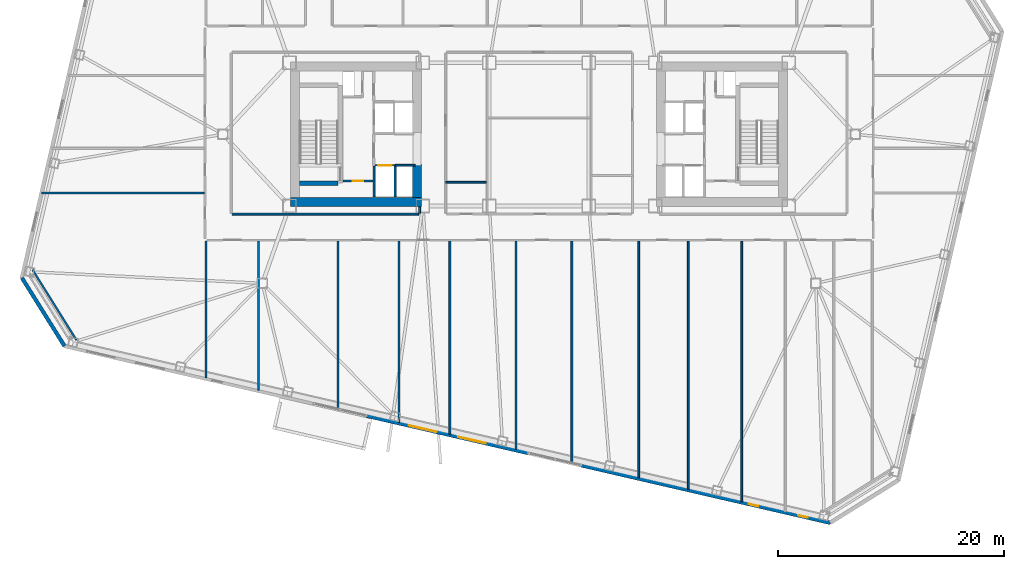
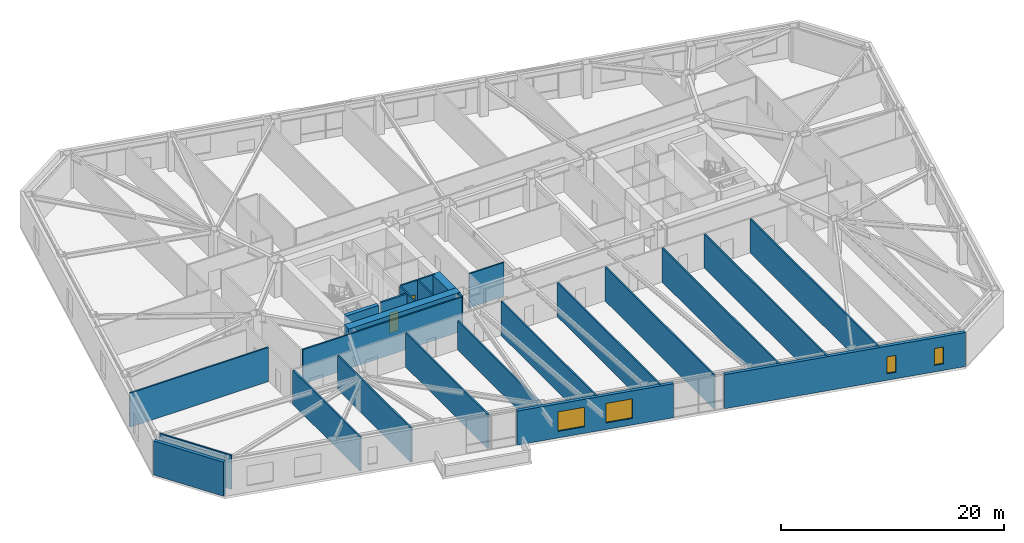
# One storey, part 12 of 22: 26 walls, 4 windows, 2 doors, 6 openings.
"""IFC4 building model written with IfcOpenShell, lengths in metres."""

from ifc_helpers import new_model, si_unit, direction, frame, frame_2d, origin, place, context, subcontext, project, spatial, rectangle, extrude, material, layer, layer_set, type_object, element, fill, save


model = new_model("IFC4")

# Units and contexts
model_context = context("Model", 3, precision=1e-05, world=origin(), true_north=direction((0.0, 1.0)))
body_context = subcontext(model_context, "Body", "Model", "MODEL_VIEW")
ifc_project = project(units=[si_unit("LENGTHUNIT", "METRE"), si_unit("AREAUNIT", "SQUARE_METRE"), si_unit("VOLUMEUNIT", "CUBIC_METRE"), si_unit("PLANEANGLEUNIT", "RADIAN"), si_unit("MASSUNIT", "GRAM", prefix="KILO")], contexts=[model_context])

# Site, building, storey
site_placement = place(None, origin())
site = spatial("IfcSite", under=ifc_project, at=site_placement, CompositionType="ELEMENT")
building_placement = place(site_placement, origin())
building = spatial("IfcBuilding", under=site, at=building_placement, Name="Tavrogorsk Clinical Tower", CompositionType="ELEMENT")
storey_placement = place(building_placement, frame((0.0, 0.0, 55.39990234375)))
storey = spatial("IfcBuildingStorey", under=building, at=storey_placement, Name="L11", CompositionType="ELEMENT", Elevation=55.39990234375)

# Wall, opening, door
ifc_material_1 = material(Name="Concrete B60", Category="concrete")
ifc_layer_1 = layer(ifc_material_1, 0.199951171875)
ifc_layer_set_1 = layer_set([ifc_layer_1], Name="Concrete B60")
wall_type_1 = type_object("IfcWallType", Name="CoreFireWall_200", PredefinedType="SOLIDWALL", material=ifc_layer_set_1)
wall_1_placement = place(storey_placement, frame((-17.3798828125, -4.139892578125, 0.0), z_axis=(0.0, 0.0, 1.0), x_axis=(1.0, 0.0, 0.0)))
wall_1 = element("IfcWall", 1, at=wall_1_placement, inside=storey, type_object=wall_type_1, Name="L11 Core West South Core Room Fire Wall", PredefinedType="SOLIDWALL", context=body_context, shape_type="SweptSolid", body=[
    extrude(rectangle(XDim=2.659912109375, YDim=0.199951171875, at=frame_2d((1.330078125, 0.0))), origin(), (0.0, 0.0, 1.0), 3.739990234375),
])
opening_1_placement = place(wall_1_placement, frame((0.8798828125, 0.0, 0.0)))
opening_1 = element("IfcOpeningElement", 2, at=opening_1_placement, cuts=wall_1, Name="Opening ID-02", PredefinedType="OPENING", context=body_context, shape_type="SweptSolid", body=[
    extrude(rectangle(XDim=0.949951171875, YDim=2.199951171875, at=frame_2d((0.47509765625, 1.10009765625))), frame((0.0, 0.10986328125, 0.0), z_axis=(0.0, -1.0, 0.0), x_axis=(1.0, 0.0, 0.0)), (0.0, 0.0, 1.0), 0.219970703125),
])
ifc_material_2 = material(Name="Laminated timber leaf on aluminium frame", Category="wood")
door_type_1 = type_object("IfcDoorType", Name="InteriorDoor_ID02_950", OperationType="NOTDEFINED", PredefinedType="DOOR", material=ifc_material_2)
door_1_placement = place(opening_1_placement, origin())
door_1 = element("IfcDoor", 3, at=door_1_placement, inside=storey, type_object=door_type_1, Name="L11 Core West South Core Room Door", OperationType="SINGLE_SWING_RIGHT", OverallHeight=2.199951171875, OverallWidth=0.949951171875, PredefinedType="DOOR", context=body_context, shape_type="SweptSolid", body=[
    extrude(rectangle(XDim=0.949951171875, YDim=2.199951171875, at=frame_2d((0.47509765625, 1.10009765625))), frame((0.0, 0.02490234375, 0.0), z_axis=(0.0, -1.0, 0.0), x_axis=(1.0, 0.0, 0.0)), (0.0, 0.0, 1.0), 0.050048828125),
])
fill(opening_1, door_1)

# Walls
ifc_material_3 = material(Name="Lightweight concrete blockwork B15", Category="masonry")
ifc_layer_2 = layer(ifc_material_3, 0.139892578125)
ifc_layer_set_2 = layer_set([ifc_layer_2], Name="Lightweight concrete blockwork B15")
wall_type_2 = type_object("IfcWallType", Name="PartitionWall_140", PredefinedType="PARTITIONING", material=ifc_layer_set_2)
wall_2_placement = place(storey_placement, frame((-8.264892578125, -4.25, 0.0), z_axis=(0.0, 0.0, 1.0), x_axis=(1.0, 0.0, 0.0)))
element("IfcWall", 4, at=wall_2_placement, inside=storey, type_object=wall_type_2, Name="L11 Central Spine Partition 4", PredefinedType="PARTITIONING", context=body_context, shape_type="SweptSolid", body=[
    extrude(rectangle(XDim=3.58984375, YDim=0.139892578125, at=frame_2d((1.794921875, 0.0))), origin(), (0.0, 0.0, 1.0), 3.739990234375),
])
ifc_material_4 = material(Name="Lightweight concrete blockwork B15", Category="masonry")
ifc_layer_3 = layer(ifc_material_4, 0.159912109375)
ifc_layer_set_3 = layer_set([ifc_layer_3], Name="Lightweight concrete blockwork B15")
wall_type_3 = type_object("IfcWallType", Name="PartitionWall_160", PredefinedType="PARTITIONING", material=ifc_layer_set_3)
wall_3_placement = place(storey_placement, frame((-44.85986328125, -11.9892578125, 0.0), z_axis=(0.0, 0.0, 1.0), x_axis=(0.52991239767, -0.848052386823, 0.0)))
element("IfcWall", 5, at=wall_3_placement, inside=storey, type_object=wall_type_3, Name="L11 Corner Exoskeleton Brace Furring Wall 4", PredefinedType="PARTITIONING", context=body_context, shape_type="SweptSolid", body=[
    extrude(rectangle(XDim=7.35400390625, YDim=0.159912109375, at=frame_2d((3.677001953125, 0.0))), origin(), (0.0, 0.0, 1.0), 3.739990234375),
])
wall_4_placement = place(storey_placement, frame((-10.580078125, -6.985107421875, 0.0), z_axis=(0.0, 0.0, 1.0), x_axis=(0.0, 1.0, 0.0)))
element("IfcWall", 6, at=wall_4_placement, inside=storey, type_object=wall_type_3, Name="L11 Corridor Partition 18", PredefinedType="PARTITIONING", context=body_context, shape_type="SweptSolid", body=[
    extrude(rectangle(XDim=0.565185546875, YDim=0.159912109375, at=frame_2d((0.28271484375, 0.0))), origin(), (0.0, 0.0, 1.0), 3.739990234375),
])
wall_5_placement = place(storey_placement, frame((-27.18505859375, -7.070068359375, 0.0), z_axis=(0.0, 0.0, 1.0), x_axis=(1.0, 0.0, 0.0)))
element("IfcWall", 7, at=wall_5_placement, inside=storey, type_object=wall_type_3, Name="L11 Corridor Partition 22", PredefinedType="PARTITIONING", context=body_context, shape_type="SweptSolid", body=[
    extrude(rectangle(XDim=16.52001953125, YDim=0.159912109375, at=frame_2d((8.260009765625, 0.0))), origin(), (0.0, 0.0, 1.0), 3.739990234375),
])
wall_6_placement = place(storey_placement, frame((-29.5, -21.570556640625, 0.0), z_axis=(0.0, 0.0, 1.0), x_axis=(0.0, 1.0, 0.0)))
element("IfcWall", 8, at=wall_6_placement, inside=storey, type_object=wall_type_3, Name="L11 SW Wing Closure Partition", PredefinedType="PARTITIONING", context=body_context, shape_type="SweptSolid", body=[
    extrude(rectangle(XDim=12.10546875, YDim=0.159912109375, at=frame_2d((6.052734375, 0.0))), origin(), (0.0, 0.0, 1.0), 3.739990234375),
])
wall_7_placement = place(storey_placement, frame((-24.85009765625, -22.64404296875, 0.0), z_axis=(0.0, 0.0, 1.0), x_axis=(0.0, 1.0, 0.0)))
element("IfcWall", 9, at=wall_7_placement, inside=storey, type_object=wall_type_3, Name="L11 South Room Partition 1", PredefinedType="PARTITIONING", context=body_context, shape_type="SweptSolid", body=[
    extrude(rectangle(XDim=13.178955078125, YDim=0.159912109375, at=frame_2d((6.58935546875, 0.0))), origin(), (0.0, 0.0, 1.0), 3.739990234375),
])
wall_8_placement = place(storey_placement, frame((-17.800048828125, -24.271728515625, 0.0), z_axis=(0.0, 0.0, 1.0), x_axis=(0.0, 1.0, 0.0)))
element("IfcWall", 10, at=wall_8_placement, inside=storey, type_object=wall_type_3, Name="L11 South Room Partition 2", PredefinedType="PARTITIONING", context=body_context, shape_type="SweptSolid", body=[
    extrude(rectangle(XDim=14.806640625, YDim=0.159912109375, at=frame_2d((7.4033203125, 0.0))), origin(), (0.0, 0.0, 1.0), 3.739990234375),
])
wall_9_placement = place(storey_placement, frame((-7.89990234375, -26.557373046875, 0.0), z_axis=(0.0, 0.0, 1.0), x_axis=(0.0, 1.0, 0.0)))
element("IfcWall", 11, at=wall_9_placement, inside=storey, type_object=wall_type_3, Name="L11 South Room Partition 3", PredefinedType="PARTITIONING", context=body_context, shape_type="SweptSolid", body=[
    extrude(rectangle(XDim=17.09228515625, YDim=0.159912109375, at=frame_2d((8.546142578125, 0.0))), origin(), (0.0, 0.0, 1.0), 3.739990234375),
])
wall_10_placement = place(storey_placement, frame((2.89990234375, -29.05078125, 0.0), z_axis=(0.0, 0.0, 1.0), x_axis=(0.0, 1.0, 0.0)))
element("IfcWall", 12, at=wall_10_placement, inside=storey, type_object=wall_type_3, Name="L11 South Room Partition 4", PredefinedType="PARTITIONING", context=body_context, shape_type="SweptSolid", body=[
    extrude(rectangle(XDim=19.585693359375, YDim=0.159912109375, at=frame_2d((9.79296875, 0.0))), origin(), (0.0, 0.0, 1.0), 3.739990234375),
])
wall_11_placement = place(storey_placement, frame((13.199951171875, -31.4287109375, 0.0), z_axis=(0.0, 0.0, 1.0), x_axis=(0.0, 1.0, 0.0)))
element("IfcWall", 13, at=wall_11_placement, inside=storey, type_object=wall_type_3, Name="L11 South Room Partition 5", PredefinedType="PARTITIONING", context=body_context, shape_type="SweptSolid", body=[
    extrude(rectangle(XDim=21.963623046875, YDim=0.159912109375, at=frame_2d((10.98193359375, 0.0))), origin(), (0.0, 0.0, 1.0), 3.739990234375),
])
wall_12_placement = place(storey_placement, frame((-12.39990234375, -25.518310546875, 0.0), z_axis=(0.0, 0.0, 1.0), x_axis=(0.0, 1.0, 0.0)))
element("IfcWall", 14, at=wall_12_placement, inside=storey, type_object=wall_type_3, Name="L11 South Sub-Partition 3", PredefinedType="PARTITIONING", context=body_context, shape_type="SweptSolid", body=[
    extrude(rectangle(XDim=16.05322265625, YDim=0.159912109375, at=frame_2d((8.026611328125, 0.0))), origin(), (0.0, 0.0, 1.0), 3.1650390625),
])
wall_13_placement = place(storey_placement, frame((-2.050048828125, -27.907958984375, 0.0), z_axis=(0.0, 0.0, 1.0), x_axis=(0.0, 1.0, 0.0)))
element("IfcWall", 15, at=wall_13_placement, inside=storey, type_object=wall_type_3, Name="L11 South Sub-Partition 4", PredefinedType="PARTITIONING", context=body_context, shape_type="SweptSolid", body=[
    extrude(rectangle(XDim=18.44287109375, YDim=0.159912109375, at=frame_2d((9.221435546875, 0.0))), origin(), (0.0, 0.0, 1.0), 3.739990234375),
])
wall_14_placement = place(storey_placement, frame((8.820068359375, -30.41748046875, 0.0), z_axis=(0.0, 0.0, 1.0), x_axis=(0.0, 1.0, 0.0)))
element("IfcWall", 16, at=wall_14_placement, inside=storey, type_object=wall_type_3, Name="L11 South Sub-Partition 5", PredefinedType="PARTITIONING", context=body_context, shape_type="SweptSolid", body=[
    extrude(rectangle(XDim=20.952392578125, YDim=0.159912109375, at=frame_2d((10.47607421875, 0.0))), origin(), (0.0, 0.0, 1.0), 3.739990234375),
])
wall_15_placement = place(storey_placement, frame((17.949951171875, -32.525146484375, 0.0), z_axis=(0.0, 0.0, 1.0), x_axis=(0.0, 1.0, 0.0)))
element("IfcWall", 17, at=wall_15_placement, inside=storey, type_object=wall_type_3, Name="L11 South Sub-Partition 6", PredefinedType="PARTITIONING", context=body_context, shape_type="SweptSolid", body=[
    extrude(rectangle(XDim=23.06005859375, YDim=0.159912109375, at=frame_2d((11.530029296875, 0.0))), origin(), (0.0, 0.0, 1.0), 3.739990234375),
])
wall_16_placement = place(storey_placement, frame((-44.0419921875, -5.199951171875, 0.0), z_axis=(0.0, 0.0, 1.0), x_axis=(1.0, 0.0, 0.0)))
element("IfcWall", 18, at=wall_16_placement, inside=storey, type_object=wall_type_3, Name="L11 W Wing Divider 1", PredefinedType="PARTITIONING", context=body_context, shape_type="SweptSolid", body=[
    extrude(rectangle(XDim=14.376953125, YDim=0.159912109375, at=frame_2d((7.1884765625, 0.0))), origin(), (0.0, 0.0, 1.0), 3.739990234375),
])

# Wall, openings, windows
ifc_material_5 = material(Name="Precast concrete B45 with limestone cladding", Category="masonry")
ifc_layer_4 = layer(ifc_material_5, 0.340087890625)
ifc_layer_set_4 = layer_set([ifc_layer_4], Name="Precast concrete B45 with limestone cladding")
wall_type_4 = type_object("IfcWallType", Name="PrecastLimestoneWall_340", PredefinedType="STANDARD", material=ifc_layer_set_4)
wall_17_placement = place(storey_placement, frame((-15.28076171875, -24.925048828125, 0.0), z_axis=(0.0, 0.0, 1.0), x_axis=(0.974370193991, -0.22495049469, 0.0)))
wall_17 = element("IfcWall", 19, at=wall_17_placement, inside=storey, type_object=wall_type_4, Name="L11 S Limestone Facade Wall 2", PredefinedType="STANDARD", context=body_context, shape_type="SweptSolid", body=[
    extrude(rectangle(XDim=14.697265625, YDim=0.340087890625, at=frame_2d((7.3486328125, 0.0))), origin(), (0.0, 0.0, 1.0), 3.739990234375),
])
opening_2_placement = place(wall_17_placement, frame((3.8564453125, 0.0, 0.719970703125)))
opening_2 = element("IfcOpeningElement", 20, at=opening_2_placement, cuts=wall_17, Name="Opening WN-11", PredefinedType="OPENING", context=body_context, shape_type="SweptSolid", body=[
    extrude(rectangle(XDim=2.5, YDim=2.14990234375, at=frame_2d((1.25, 1.074951171875))), frame((0.0, 0.179931640625, 0.0), z_axis=(0.0, -1.0, 0.0), x_axis=(1.0, 0.0, 0.0)), (0.0, 0.0, 1.0), 0.360107421875),
])
opening_3_placement = place(wall_17_placement, frame((8.3408203125, 0.0, 0.719970703125)))
opening_3 = element("IfcOpeningElement", 21, at=opening_3_placement, cuts=wall_17, Name="Opening WN-11", PredefinedType="OPENING", context=body_context, shape_type="SweptSolid", body=[
    extrude(rectangle(XDim=2.5, YDim=2.14990234375, at=frame_2d((1.25, 1.074951171875))), frame((0.0, 0.179931640625, 0.0), z_axis=(0.0, -1.0, 0.0), x_axis=(1.0, 0.0, 0.0)), (0.0, 0.0, 1.0), 0.360107421875),
])
ifc_material_6 = material(Name="Thermally broken aluminium frame and triple IGU", Category="aluminium")
window_type_1 = type_object("IfcWindowType", Name="StepDownWin_2500x2150", PartitioningType="TRIPLE_PANEL_HORIZONTAL", PredefinedType="WINDOW", material=ifc_material_6)
window_1_placement = place(opening_2_placement, origin())
window_1 = element("IfcWindow", 22, at=window_1_placement, inside=storey, type_object=window_type_1, Name="L11 S Chicago Window 05", OverallHeight=2.14990234375, OverallWidth=2.5, PartitioningType="SINGLE_PANEL", PredefinedType="WINDOW", context=body_context, shape_type="SweptSolid", body=[
    extrude(rectangle(XDim=2.5, YDim=2.14990234375, at=frame_2d((1.25, 1.074951171875))), frame((0.0, 0.030029296875, 0.0), z_axis=(0.0, -1.0, 0.0), x_axis=(1.0, 0.0, 0.0)), (0.0, 0.0, 1.0), 0.06005859375),
])
fill(opening_2, window_1)
window_2_placement = place(opening_3_placement, origin())
window_2 = element("IfcWindow", 23, at=window_2_placement, inside=storey, type_object=window_type_1, Name="L11 S Chicago Window 06", OverallHeight=2.14990234375, OverallWidth=2.5, PartitioningType="SINGLE_PANEL", PredefinedType="WINDOW", context=body_context, shape_type="SweptSolid", body=[
    extrude(rectangle(XDim=2.5, YDim=2.14990234375, at=frame_2d((1.25, 1.074951171875))), frame((0.0, 0.030029296875, 0.0), z_axis=(0.0, -1.0, 0.0), x_axis=(1.0, 0.0, 0.0)), (0.0, 0.0, 1.0), 0.06005859375),
])
fill(opening_3, window_2)

wall_18_placement = place(storey_placement, frame((3.716796875, -29.31103515625, 0.0), z_axis=(0.0, 0.0, 1.0), x_axis=(0.97436993772, -0.224951604723, 0.0)))
wall_18 = element("IfcWall", 24, at=wall_18_placement, inside=storey, type_object=wall_type_4, Name="L11 S Limestone Facade Wall 3", PredefinedType="STANDARD", context=body_context, shape_type="SweptSolid", body=[
    extrude(rectangle(XDim=22.6513671875, YDim=0.340087890625, at=frame_2d((11.32568359375, 0.0))), origin(), (0.0, 0.0, 1.0), 3.739990234375),
])
opening_4_placement = place(wall_18_placement, frame((15.2548828125, 0.0, 0.719970703125)))
opening_4 = element("IfcOpeningElement", 25, at=opening_4_placement, cuts=wall_18, Name="Opening WN-06", PredefinedType="OPENING", context=body_context, shape_type="SweptSolid", body=[
    extrude(rectangle(XDim=0.85009765625, YDim=1.85009765625, at=frame_2d((0.425048828125, 0.925048828125))), frame((0.0, 0.179931640625, 0.0), z_axis=(0.0, -1.0, 0.0), x_axis=(1.0, 0.0, 0.0)), (0.0, 0.0, 1.0), 0.360107421875),
])
opening_5_placement = place(wall_18_placement, frame((19.7392578125, 0.0, 0.719970703125)))
opening_5 = element("IfcOpeningElement", 26, at=opening_5_placement, cuts=wall_18, Name="Opening WN-06", PredefinedType="OPENING", context=body_context, shape_type="SweptSolid", body=[
    extrude(rectangle(XDim=0.85009765625, YDim=1.85009765625, at=frame_2d((0.425048828125, 0.925048828125))), frame((0.0, 0.179931640625, 0.0), z_axis=(0.0, -1.0, 0.0), x_axis=(1.0, 0.0, 0.0)), (0.0, 0.0, 1.0), 0.360107421875),
])
ifc_material_7 = material(Name="Thermally broken aluminium frame and triple IGU", Category="aluminium")
window_type_2 = type_object("IfcWindowType", Name="MullionSubWin_850x1850", PartitioningType="SINGLE_PANEL", PredefinedType="WINDOW", material=ifc_material_7)
window_3_placement = place(opening_4_placement, origin())
window_3 = element("IfcWindow", 27, at=window_3_placement, inside=storey, type_object=window_type_2, Name="L11 S Mullion Split Window 09B", OverallHeight=1.85009765625, OverallWidth=0.85009765625, PartitioningType="SINGLE_PANEL", PredefinedType="WINDOW", context=body_context, shape_type="SweptSolid", body=[
    extrude(rectangle(XDim=0.85009765625, YDim=1.85009765625, at=frame_2d((0.425048828125, 0.925048828125))), frame((0.0, 0.030029296875, 0.0), z_axis=(0.0, -1.0, 0.0), x_axis=(1.0, 0.0, 0.0)), (0.0, 0.0, 1.0), 0.06005859375),
])
fill(opening_4, window_3)
window_4_placement = place(opening_5_placement, origin())
window_4 = element("IfcWindow", 28, at=window_4_placement, inside=storey, type_object=window_type_2, Name="L11 S Mullion Split Window 10B", OverallHeight=1.85009765625, OverallWidth=0.85009765625, PartitioningType="SINGLE_PANEL", PredefinedType="WINDOW", context=body_context, shape_type="SweptSolid", body=[
    extrude(rectangle(XDim=0.85009765625, YDim=1.85009765625, at=frame_2d((0.425048828125, 0.925048828125))), frame((0.0, 0.030029296875, 0.0), z_axis=(0.0, -1.0, 0.0), x_axis=(1.0, 0.0, 0.0)), (0.0, 0.0, 1.0), 0.06005859375),
])
fill(opening_5, window_4)

# Wall
wall_19_placement = place(storey_placement, frame((-45.798095703125, -12.71728515625, 0.0), z_axis=(0.0, 0.0, 1.0), x_axis=(0.529906387556, -0.848056142261, 0.0)))
element("IfcWall", 29, at=wall_19_placement, inside=storey, type_object=wall_type_4, Name="L11 Chamfered Corner Wall 4", PredefinedType="STANDARD", context=body_context, shape_type="SweptSolid", body=[
    extrude(rectangle(XDim=7.113525390625, YDim=0.340087890625, at=frame_2d((3.556640625, 0.0))), origin(), (0.0, 0.0, 1.0), 3.739990234375),
])

# Wall, opening, door
ifc_material_8 = material(Name="Lightweight concrete blockwork B25", Category="masonry")
ifc_layer_5 = layer(ifc_material_8, 0.159912109375)
ifc_layer_set_5 = layer_set([ifc_layer_5], Name="Lightweight concrete blockwork B25")
wall_type_5 = type_object("IfcWallType", Name="ShaftWall_160", PredefinedType="PARTITIONING", material=ifc_layer_set_5)
wall_20_placement = place(storey_placement, frame((-14.530029296875, -2.75, 0.0), z_axis=(0.0, 0.0, 1.0), x_axis=(1.0, 0.0, 0.0)))
wall_20 = element("IfcWall", 30, at=wall_20_placement, inside=storey, type_object=wall_type_5, Name="L11 LP-L1 Lift Shaft Portal Wall", PredefinedType="PARTITIONING", context=body_context, shape_type="SweptSolid", body=[
    extrude(rectangle(XDim=1.760009765625, YDim=0.159912109375, at=frame_2d((0.8798828125, 0.0))), origin(), (0.0, 0.0, 1.0), 3.739990234375),
])
opening_6_placement = place(wall_20_placement, frame((0.280029296875, 0.0, 0.0)))
opening_6 = element("IfcOpeningElement", 31, at=opening_6_placement, cuts=wall_20, Name="Opening LD", PredefinedType="OPENING", context=body_context, shape_type="SweptSolid", body=[
    extrude(rectangle(XDim=1.199951171875, YDim=2.199951171875, at=frame_2d((0.60009765625, 1.10009765625))), frame((0.0, 0.08984375, 0.0), z_axis=(0.0, -1.0, 0.0), x_axis=(1.0, 0.0, 0.0)), (0.0, 0.0, 1.0), 0.179931640625),
])
ifc_material_9 = material(Name="Brushed stainless steel AISI 304 sliding doors", Category="steel")
door_type_2 = type_object("IfcDoorType", Name="LiftLandingDoor_LD_1200", OperationType="SLIDING_TO_LEFT", PredefinedType="DOOR", material=ifc_material_9)
door_2_placement = place(opening_6_placement, origin())
door_2 = element("IfcDoor", 32, at=door_2_placement, inside=storey, type_object=door_type_2, Name="L11 LP-L1 Sliding Lift Landing Door", OperationType="SLIDING_TO_LEFT", OverallHeight=2.199951171875, OverallWidth=1.199951171875, PredefinedType="DOOR", context=body_context, shape_type="SweptSolid", body=[
    extrude(rectangle(XDim=1.199951171875, YDim=2.199951171875, at=frame_2d((0.60009765625, 1.10009765625))), frame((0.0, 0.02490234375, 0.0), z_axis=(0.0, -1.0, 0.0), x_axis=(1.0, 0.0, 0.0)), (0.0, 0.0, 1.0), 0.050048828125),
])
fill(opening_6, door_2)

# Walls
for number, where, z_axis, x_axis, name in (
    (33, (-12.75, -5.5400390625, 0.0), (0.0, 0.0, 1.0), (0.0, 1.0, 0.0), "L11 LP-L1 Lift Hoistway Divider Wall"),
    (34, (-14.610107421875, -5.5400390625, 0.0), (0.0, 0.0, 1.0), (0.0, 1.0, 0.0), "L11 LP-L1 Lift Hoistway Outer Cheek Wall"),
):
    element("IfcWall", number, at=place(storey_placement, frame(where, z_axis=z_axis, x_axis=x_axis)), inside=storey, type_object=wall_type_5, Name=name, PredefinedType="PARTITIONING", context=body_context, shape_type="SweptSolid", body=[
        extrude(rectangle(XDim=2.699951171875, YDim=0.159912109375, at=frame_2d((1.35009765625, 0.0))), origin(), (0.0, 0.0, 1.0), 3.739990234375),
    ])
wall_21_placement = place(storey_placement, frame((-12.72998046875, -2.75, 0.0), z_axis=(0.0, 0.0, 1.0), x_axis=(1.0, 0.0, 0.0)))
element("IfcWall", 35, at=wall_21_placement, inside=storey, type_object=wall_type_5, Name="L11 LP-M1 Lift Shaft Portal Wall", PredefinedType="PARTITIONING", context=body_context, shape_type="SweptSolid", body=[
    extrude(rectangle(XDim=1.760009765625, YDim=0.159912109375, at=frame_2d((0.8798828125, 0.0))), origin(), (0.0, 0.0, 1.0), 3.739990234375),
])
ifc_material_10 = material(Name="Concrete B80", Category="concrete")
ifc_layer_6 = layer(ifc_material_10, 0.39990234375)
ifc_layer_set_6 = layer_set([ifc_layer_6], Name="Concrete B80")
wall_type_6 = type_object("IfcWallType", Name="ShearWall_400", PredefinedType="SHEAR", material=ifc_layer_set_6)
wall_22_placement = place(storey_placement, frame((-21.199951171875, -4.324951171875, 0.0), z_axis=(0.0, 0.0, 1.0), x_axis=(1.0, 0.0, 0.0)))
element("IfcWall", 36, at=wall_22_placement, inside=storey, type_object=wall_type_6, Name="L11 Core West Stair Shaft South Shear Wall", PredefinedType="SHEAR", context=body_context, shape_type="SweptSolid", body=[
    extrude(rectangle(XDim=3.39990234375, YDim=0.39990234375, at=frame_2d((1.699951171875, 0.0))), origin(), (0.0, 0.0, 1.0), 3.739990234375),
])
ifc_material_11 = material(Name="Concrete B80", Category="concrete")
ifc_layer_7 = layer(ifc_material_11, 0.800048828125)
ifc_layer_set_7 = layer_set([ifc_layer_7], Name="Concrete B80")
wall_type_7 = type_object("IfcWallType", Name="ShearWall_800", PredefinedType="SHEAR", material=ifc_layer_set_7)
wall_23_placement = place(storey_placement, frame((-22.0, -6.0, 0.0), z_axis=(0.0, 0.0, 1.0), x_axis=(1.0, 0.0, 0.0)))
element("IfcWall", 37, at=wall_23_placement, inside=storey, type_object=wall_type_7, Name="L11 Core West South Shear Wall", PredefinedType="SHEAR", context=body_context, shape_type="SweptSolid", body=[
    extrude(rectangle(XDim=11.60009765625, YDim=0.800048828125, at=frame_2d((5.800048828125, 0.0))), origin(), (0.0, 0.0, 1.0), 3.739990234375),
])
wall_24_placement = place(storey_placement, frame((-10.800048828125, -5.60009765625, 0.0), z_axis=(0.0, 0.0, 1.0), x_axis=(0.0, 1.0, 0.0)))
element("IfcWall", 38, at=wall_24_placement, inside=storey, type_object=wall_type_7, Name="L11 Core West Inner South Pier", PredefinedType="SHEAR", context=body_context, shape_type="SweptSolid", body=[
    extrude(rectangle(XDim=2.9501953125, YDim=0.800048828125, at=frame_2d((1.47509765625, 0.0))), origin(), (0.0, 0.0, 1.0), 3.739990234375),
])

save(model, "model.ifc")
